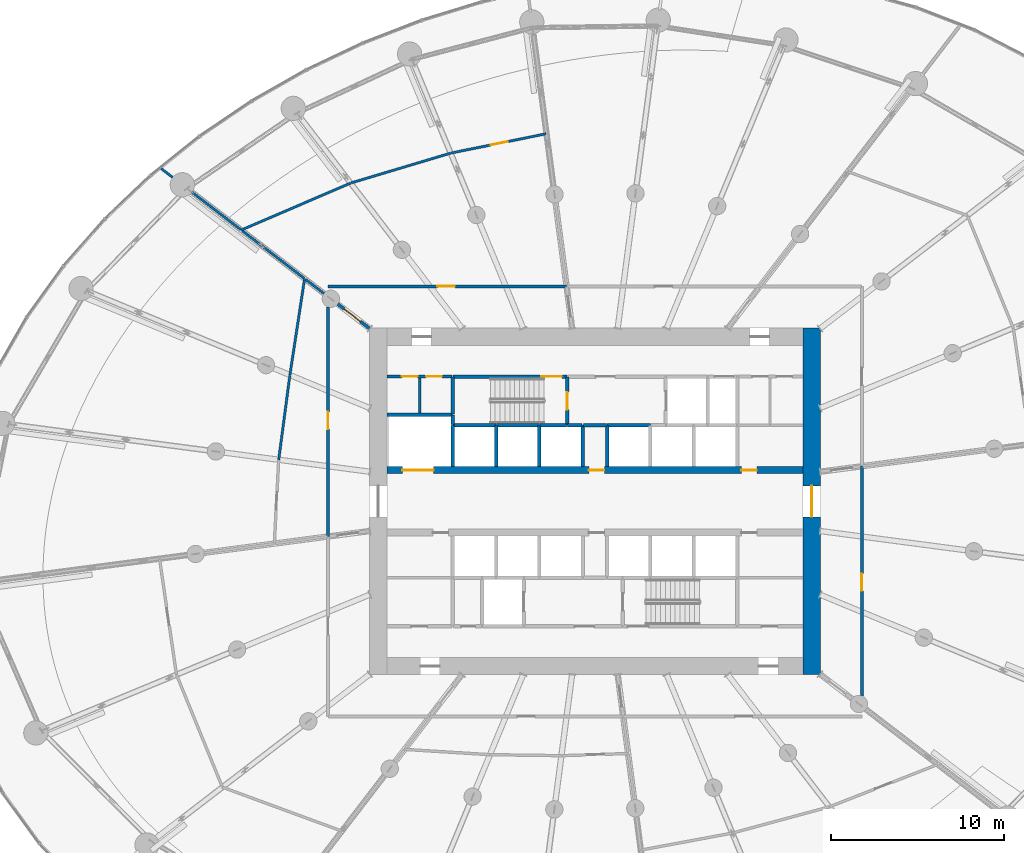
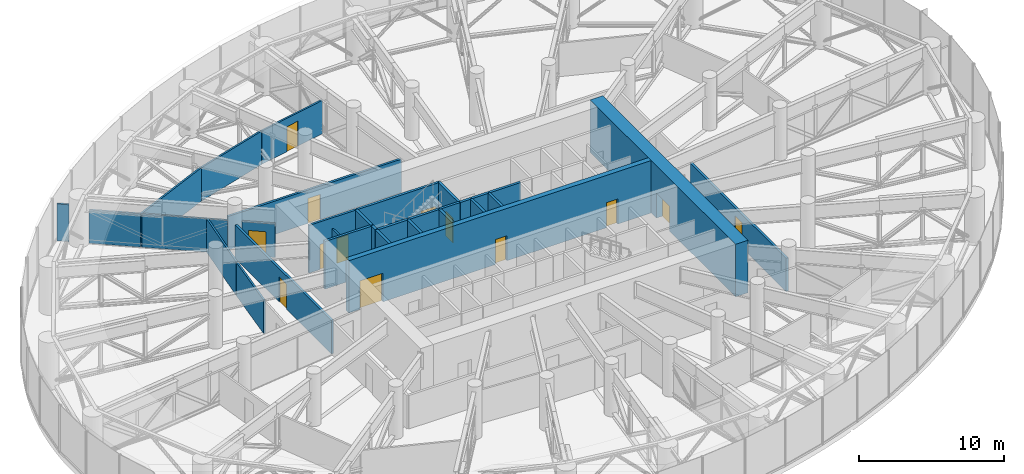
# One storey, part 23 of 42: 33 walls, 13 doors, 13 openings.
"""IFC4 building model written with IfcOpenShell, lengths in metres."""

from ifc_helpers import new_model, si_unit, direction, frame, frame_2d, origin, place, context, subcontext, project, spatial, rectangle, extrude, source, transform, mapped, material, layer, layer_set, type_object, element, fill, save


model = new_model("IFC4")

# Units and contexts
model_context = context("Model", 3, precision=1e-05, world=origin(), true_north=direction((0.0, 1.0)))
body_context = subcontext(model_context, "Body", "Model", "MODEL_VIEW")
ifc_project = project(units=[si_unit("LENGTHUNIT", "METRE"), si_unit("AREAUNIT", "SQUARE_METRE"), si_unit("VOLUMEUNIT", "CUBIC_METRE"), si_unit("PLANEANGLEUNIT", "RADIAN"), si_unit("MASSUNIT", "GRAM", prefix="KILO")], contexts=[model_context])

# Site, building, storey
site_placement = place(None, origin())
site = spatial("IfcSite", under=ifc_project, at=site_placement, CompositionType="ELEMENT")
building_placement = place(site_placement, origin())
building = spatial("IfcBuilding", under=site, at=building_placement, Name="Spindrift Exchange Tower", CompositionType="ELEMENT")
storey_placement = place(building_placement, frame((0.0, 0.0, 75.39990234375)))
storey = spatial("IfcBuildingStorey", under=building, at=storey_placement, Name="L17", CompositionType="ELEMENT", Elevation=75.39990234375)

# Wall, opening, door
ifc_material_1 = material(Name="Concrete 80 MPa", Category="concrete")
ifc_layer_1 = layer(ifc_material_1, 1.0)
ifc_layer_set_1 = layer_set([ifc_layer_1], Name="RC Core Wall 1000 Concrete 80 MPa")
wall_type_1 = type_object("IfcWallType", Name="RC Core Wall 1000 Concrete 80 MPa", PredefinedType="SHEAR", material=ifc_layer_set_1)
wall_1_placement = place(storey_placement, frame((64.5, 38.0, 0.0), z_axis=(0.0, 0.0, 1.0), x_axis=(0.0, 1.0, 0.0)))
wall_1 = element("IfcWall", 1, at=wall_1_placement, inside=storey, type_object=wall_type_1, Name="Core wall E L17", PredefinedType="SHEAR", context=body_context, shape_type="SweptSolid", body=[
    extrude(rectangle(XDim=20.0, YDim=1.0, at=frame_2d((10.0, 0.0))), origin(), (0.0, 0.0, 1.0), 4.400146484375),
])
opening_1_placement = place(wall_1_placement, frame((9.10009765625, 0.0, 0.0)))
opening_1 = element("IfcOpeningElement", 2, at=opening_1_placement, cuts=wall_1, Name="Opening L17-D2", PredefinedType="OPENING", context=body_context, shape_type="SweptSolid", body=[
    extrude(rectangle(XDim=1.800048828125, YDim=2.10009765625, at=frame_2d((0.89990234375, 1.050048828125))), frame((0.0, 0.510009765625, 0.0), z_axis=(0.0, -1.0, 0.0), x_axis=(1.0, 0.0, 0.0)), (0.0, 0.0, 1.0), 1.02001953125),
])
ifc_material_2 = material(Name="Timber-core fire door", Category="wood")
door_type_1 = type_object("IfcDoorType", Name="DR-LOBBY-1800", OperationType="NOTDEFINED", PredefinedType="DOOR", material=ifc_material_2)
shared_shape_1 = source(origin(), body_context, "Body", "SweptSolid", [
    extrude(rectangle(XDim=1.800048828125, YDim=2.10009765625, at=frame_2d((0.89990234375, 1.050048828125))), frame((0.0, 0.02490234375, 0.0), z_axis=(0.0, -1.0, 0.0), x_axis=(1.0, 0.0, 0.0)), (0.0, 0.0, 1.0), 0.050048828125),
])
door_1_placement = place(opening_1_placement, origin())
door_1 = element("IfcDoor", 3, at=door_1_placement, inside=storey, type_object=door_type_1, Name="L17 Lobby door 2", OperationType="SINGLE_SWING_LEFT", OverallHeight=2.10009765625, OverallWidth=1.800048828125, PredefinedType="DOOR", context=body_context, shape_type="MappedRepresentation", body=[
    mapped(shared_shape_1, transform((0.0, 0.0, 0.0), scale=1.0)),
])
fill(opening_1, door_1)

# Wall, openings, doors
ifc_layer_2 = layer(ifc_material_1, 0.39990234375)
ifc_layer_set_2 = layer_set([ifc_layer_2], Name="RC Spine Wall 400 Concrete 80 MPa")
wall_type_2 = type_object("IfcWallType", Name="RC Spine Wall 400 Concrete 80 MPa", PredefinedType="SHEAR", material=ifc_layer_set_2)
wall_2_placement = place(storey_placement, frame((40.0, 49.800048828125, 0.0), z_axis=(0.0, 0.0, 1.0), x_axis=(1.0, 0.0, 0.0)))
wall_2 = element("IfcWall", 4, at=wall_2_placement, inside=storey, type_object=wall_type_2, Name="Core spine wall N L17", PredefinedType="SHEAR", context=body_context, shape_type="SweptSolid", body=[
    extrude(rectangle(XDim=24.0, YDim=0.39990234375, at=frame_2d((12.0, 0.0))), origin(), (0.0, 0.0, 1.0), 4.400146484375),
])
opening_2_placement = place(wall_2_placement, frame((0.89990234375, 0.0, 0.0)))
opening_2 = element("IfcOpeningElement", 5, at=opening_2_placement, cuts=wall_2, Name="Opening L17-D6", PredefinedType="OPENING", context=body_context, shape_type="SweptSolid", body=[
    extrude(rectangle(XDim=1.800048828125, YDim=2.39990234375, at=frame_2d((0.89990234375, 1.199951171875))), frame((0.0, 0.2099609375, 0.0), z_axis=(0.0, -1.0, 0.0), x_axis=(1.0, 0.0, 0.0)), (0.0, 0.0, 1.0), 0.419921875),
])
opening_3_placement = place(wall_2_placement, frame((20.449951171875, 0.0, 0.0)))
opening_3 = element("IfcOpeningElement", 6, at=opening_3_placement, cuts=wall_2, Name="Opening L17-D44", PredefinedType="OPENING", context=body_context, shape_type="SweptSolid", body=[
    extrude(rectangle(XDim=0.89990234375, YDim=2.10009765625, at=frame_2d((0.449951171875, 1.050048828125))), frame((0.0, 0.2099609375, 0.0), z_axis=(0.0, -1.0, 0.0), x_axis=(1.0, 0.0, 0.0)), (0.0, 0.0, 1.0), 0.419921875),
])
opening_4_placement = place(wall_2_placement, frame((11.64990234375, 0.0, 0.0)))
opening_4 = element("IfcOpeningElement", 7, at=opening_4_placement, cuts=wall_2, Name="Opening L17-D49", PredefinedType="OPENING", context=body_context, shape_type="SweptSolid", body=[
    extrude(rectangle(XDim=0.89990234375, YDim=2.10009765625, at=frame_2d((0.449951171875, 1.050048828125))), frame((0.0, 0.2099609375, 0.0), z_axis=(0.0, -1.0, 0.0), x_axis=(1.0, 0.0, 0.0)), (0.0, 0.0, 1.0), 0.419921875),
])
ifc_material_3 = material(Name="Stainless steel landing door", Category="steel")
door_type_2 = type_object("IfcDoorType", Name="DR-LANDING-1800-SL", OperationType="DOUBLE_DOOR_SLIDING", PredefinedType="USERDEFINED", material=ifc_material_3)
shared_shape_2 = source(origin(), body_context, "Body", "SweptSolid", [
    extrude(rectangle(XDim=1.800048828125, YDim=2.39990234375, at=frame_2d((0.89990234375, 1.199951171875))), frame((0.0, 0.02490234375, 0.0), z_axis=(0.0, -1.0, 0.0), x_axis=(1.0, 0.0, 0.0)), (0.0, 0.0, 1.0), 0.050048828125),
])
door_2_placement = place(opening_2_placement, origin())
door_2 = element("IfcDoor", 8, at=door_2_placement, inside=storey, type_object=door_type_2, Name="L17 Lift landing door 6", ObjectType="LANDING DOOR", OperationType="DOUBLE_DOOR_SLIDING", OverallHeight=2.39990234375, OverallWidth=1.800048828125, PredefinedType="USERDEFINED", context=body_context, shape_type="MappedRepresentation", body=[
    mapped(shared_shape_2, transform((0.0, 0.0, 0.0), scale=1.0)),
])
fill(opening_2, door_2)
ifc_material_4 = material(Name="Steel access door", Category="steel")
door_type_3 = type_object("IfcDoorType", Name="DR-RISER-900", OperationType="NOTDEFINED", PredefinedType="DOOR", material=ifc_material_4)
shared_shape_3 = source(origin(), body_context, "Body", "SweptSolid", [
    extrude(rectangle(XDim=0.89990234375, YDim=2.10009765625, at=frame_2d((0.449951171875, 1.050048828125))), frame((0.0, 0.02490234375, 0.0), z_axis=(0.0, -1.0, 0.0), x_axis=(1.0, 0.0, 0.0)), (0.0, 0.0, 1.0), 0.050048828125),
])
door_3_placement = place(opening_3_placement, origin())
door_3 = element("IfcDoor", 9, at=door_3_placement, inside=storey, type_object=door_type_3, Name="L17 Riser door 44", OperationType="SINGLE_SWING_LEFT", OverallHeight=2.10009765625, OverallWidth=0.89990234375, PredefinedType="DOOR", context=body_context, shape_type="MappedRepresentation", body=[
    mapped(shared_shape_3, transform((0.0, 0.0, 0.0), scale=1.0)),
])
fill(opening_3, door_3)
door_4_placement = place(opening_4_placement, origin())
door_4 = element("IfcDoor", 10, at=door_4_placement, inside=storey, type_object=door_type_3, Name="L17 Riser door 49", OperationType="SINGLE_SWING_RIGHT", OverallHeight=2.10009765625, OverallWidth=0.89990234375, PredefinedType="DOOR", context=body_context, shape_type="MappedRepresentation", body=[
    mapped(shared_shape_3, transform((0.0, 0.0, 0.0), scale=1.0)),
])
fill(opening_4, door_4)

ifc_material_5 = material(Name="Fire-rated plasterboard partition", Category="gypsum")
ifc_layer_3 = layer(ifc_material_5, 0.179931640625)
ifc_layer_set_3 = layer_set([ifc_layer_3], Name="W-CORR-180")
wall_type_3 = type_object("IfcWallType", Name="W-CORR-180", PredefinedType="PARTITIONING", material=ifc_layer_set_3)
wall_3_placement = place(storey_placement, frame((43.77001953125, 55.199951171875, 0.0), z_axis=(0.0, 0.0, 1.0), x_axis=(-1.0, 0.0, 0.0)))
wall_3 = element("IfcWall", 11, at=wall_3_placement, inside=storey, type_object=wall_type_3, Name="L17 Partition wall 68", PredefinedType="PARTITIONING", context=body_context, shape_type="SweptSolid", body=[
    extrude(rectangle(XDim=3.75, YDim=0.179931640625, at=frame_2d((1.875, 0.0))), origin(), (0.0, 0.0, 1.0), 4.0),
])
opening_5_placement = place(wall_3_placement, frame((2.0, 0.0, 0.0)))
opening_5 = element("IfcOpeningElement", 12, at=opening_5_placement, cuts=wall_3, Name="Opening L17-D40", PredefinedType="OPENING", context=body_context, shape_type="SweptSolid", body=[
    extrude(rectangle(XDim=0.89990234375, YDim=2.10009765625, at=frame_2d((0.449951171875, 1.050048828125))), frame((0.0, 0.099853515625, 0.0), z_axis=(0.0, -1.0, 0.0), x_axis=(1.0, 0.0, 0.0)), (0.0, 0.0, 1.0), 0.199951171875),
])
opening_6_placement = place(wall_3_placement, frame((0.60009765625, 0.0, 0.0)))
opening_6 = element("IfcOpeningElement", 13, at=opening_6_placement, cuts=wall_3, Name="Opening L17-D41", PredefinedType="OPENING", context=body_context, shape_type="SweptSolid", body=[
    extrude(rectangle(XDim=0.89990234375, YDim=2.10009765625, at=frame_2d((0.449951171875, 1.050048828125))), frame((0.0, 0.099853515625, 0.0), z_axis=(0.0, -1.0, 0.0), x_axis=(1.0, 0.0, 0.0)), (0.0, 0.0, 1.0), 0.199951171875),
])
door_5_placement = place(opening_5_placement, origin())
door_5 = element("IfcDoor", 14, at=door_5_placement, inside=storey, type_object=door_type_3, Name="L17 Riser door 40", OperationType="SINGLE_SWING_LEFT", OverallHeight=2.10009765625, OverallWidth=0.89990234375, PredefinedType="DOOR", context=body_context, shape_type="MappedRepresentation", body=[
    mapped(shared_shape_3, transform((0.0, 0.0, 0.0), scale=1.0)),
])
fill(opening_5, door_5)
door_6_placement = place(opening_6_placement, origin())
door_6 = element("IfcDoor", 15, at=door_6_placement, inside=storey, type_object=door_type_3, Name="L17 Riser door 41", OperationType="SINGLE_SWING_RIGHT", OverallHeight=2.10009765625, OverallWidth=0.89990234375, PredefinedType="DOOR", context=body_context, shape_type="MappedRepresentation", body=[
    mapped(shared_shape_3, transform((0.0, 0.0, 0.0), scale=1.0)),
])
fill(opening_6, door_6)

# Wall, opening, door
ifc_layer_4 = layer(ifc_material_5, 0.179931640625)
ifc_layer_set_4 = layer_set([ifc_layer_4], Name="W-CORR-180-SOFFIT")
wall_type_4 = type_object("IfcWallType", Name="W-CORR-180-SOFFIT", PredefinedType="PARTITIONING", material=ifc_layer_set_4)
wall_4_placement = place(storey_placement, frame((37.167724609375, 59.381103515625, 0.0), z_axis=(0.0, 0.0, 1.0), x_axis=(0.793393624489, -0.608708926023, 0.0)))
wall_4 = element("IfcWall", 16, at=wall_4_placement, inside=storey, type_object=wall_type_4, Name="L17 Partition wall 77", PredefinedType="PARTITIONING", context=body_context, shape_type="SweptSolid", body=[
    extrude(rectangle(XDim=2.309326171875, YDim=0.179931640625, at=frame_2d((1.15478515625, 0.0))), origin(), (0.0, 0.0, 1.0), 2.800048828125),
])
opening_7_placement = place(wall_4_placement, frame((0.45947265625, 0.0, 0.0)))
opening_7 = element("IfcOpeningElement", 17, at=opening_7_placement, cuts=wall_4, Name="Opening L17-D34", PredefinedType="OPENING", context=body_context, shape_type="SweptSolid", body=[
    extrude(rectangle(XDim=1.199951171875, YDim=2.10009765625, at=frame_2d((0.60009765625, 1.050048828125))), frame((0.0, 0.099853515625, 0.0), z_axis=(0.0, -1.0, 0.0), x_axis=(1.0, 0.0, 0.0)), (0.0, 0.0, 1.0), 0.199951171875),
])
ifc_material_6 = material(Name="Steel fire door", Category="steel")
door_type_4 = type_object("IfcDoorType", Name="DR-PLANT-1200", OperationType="NOTDEFINED", PredefinedType="DOOR", material=ifc_material_6)
shared_shape_4 = source(origin(), body_context, "Body", "SweptSolid", [
    extrude(rectangle(XDim=1.199951171875, YDim=2.10009765625, at=frame_2d((0.60009765625, 1.050048828125))), frame((0.0, 0.02490234375, 0.0), z_axis=(0.0, -1.0, 0.0), x_axis=(1.0, 0.0, 0.0)), (0.0, 0.0, 1.0), 0.050048828125),
])
door_7_placement = place(opening_7_placement, origin())
door_7 = element("IfcDoor", 18, at=door_7_placement, inside=storey, type_object=door_type_4, Name="L17 Plant room door 34", OperationType="SINGLE_SWING_LEFT", OverallHeight=2.10009765625, OverallWidth=1.199951171875, PredefinedType="DOOR", context=body_context, shape_type="MappedRepresentation", body=[
    mapped(shared_shape_4, transform((0.0, 0.0, 0.0), scale=1.0)),
])
fill(opening_7, door_7)

# Walls
ifc_layer_5 = layer(ifc_material_5, 0.139892578125)
ifc_layer_set_5 = layer_set([ifc_layer_5], Name="W-PART-140")
wall_type_5 = type_object("IfcWallType", Name="W-PART-140", PredefinedType="PARTITIONING", material=ifc_layer_set_5)
wall_5_placement = place(storey_placement, frame((41.89990234375, 53.10009765625, 0.0), z_axis=(0.0, 0.0, 1.0), x_axis=(0.0, 1.0, 0.0)))
element("IfcWall", 19, at=wall_5_placement, inside=storey, type_object=wall_type_5, Name="L17 Partition wall 122", PredefinedType="PARTITIONING", context=body_context, shape_type="SweptSolid", body=[
    extrude(rectangle(XDim=2.010009765625, YDim=0.139892578125, at=frame_2d((1.0048828125, 0.0))), origin(), (0.0, 0.0, 1.0), 3.10009765625),
])
ifc_layer_6 = layer(ifc_material_5, 0.139892578125)
ifc_layer_set_6 = layer_set([ifc_layer_6], Name="W-PLANT-140")
wall_type_6 = type_object("IfcWallType", Name="W-PLANT-140", PredefinedType="PARTITIONING", material=ifc_layer_set_6)
wall_6_placement = place(storey_placement, frame((27.640625, 66.69140625, 0.0), z_axis=(0.0, 0.0, 1.0), x_axis=(-0.793252635304, 0.608892647832, 0.0)))
element("IfcWall", 20, at=wall_6_placement, inside=storey, type_object=wall_type_6, Name="L17 Partition wall 133", PredefinedType="PARTITIONING", context=body_context, shape_type="SweptSolid", body=[
    extrude(rectangle(XDim=0.822265625, YDim=0.139892578125, at=frame_2d((0.4111328125, 0.0))), origin(), (0.0, 0.0, 1.0), 3.10009765625),
])
ifc_layer_7 = layer(ifc_material_5, 0.139892578125)
ifc_layer_set_7 = layer_set([ifc_layer_7], Name="W-PLANT-140-SOFFIT")
wall_type_7 = type_object("IfcWallType", Name="W-PLANT-140-SOFFIT", PredefinedType="PARTITIONING", material=ifc_layer_set_7)
wall_7_placement = place(storey_placement, frame((37.91064453125, 66.361572265625, 0.0), z_axis=(0.0, 0.0, 1.0), x_axis=(-0.918844976154, -0.394618689112, 0.0)))
element("IfcWall", 21, at=wall_7_placement, inside=storey, type_object=wall_type_7, Name="L17 Partition wall 87", PredefinedType="PARTITIONING", context=body_context, shape_type="SweptSolid", body=[
    extrude(rectangle(XDim=6.865966796875, YDim=0.139892578125, at=frame_2d((3.43310546875, 0.0))), origin(), (0.0, 0.0, 1.0), 2.800048828125),
])
wall_8_placement = place(storey_placement, frame((43.678955078125, 68.088623046875, 0.0), z_axis=(0.0, 0.0, 1.0), x_axis=(-0.957979800039, -0.286835671976, 0.0)))
element("IfcWall", 22, at=wall_8_placement, inside=storey, type_object=wall_type_7, Name="L17 Partition wall 91", PredefinedType="PARTITIONING", context=body_context, shape_type="SweptSolid", body=[
    extrude(rectangle(XDim=5.9912109375, YDim=0.139892578125, at=frame_2d((2.99560546875, 0.0))), origin(), (0.0, 0.0, 1.0), 2.800048828125),
])

# Wall, opening, door
wall_9_placement = place(storey_placement, frame((43.70849609375, 68.0947265625, 0.0), z_axis=(0.0, 0.0, 1.0), x_axis=(0.980089724436, 0.198555110878, 0.0)))
wall_9 = element("IfcWall", 23, at=wall_9_placement, inside=storey, type_object=wall_type_7, Name="L17 Partition wall 96", PredefinedType="PARTITIONING", context=body_context, shape_type="SweptSolid", body=[
    extrude(rectangle(XDim=5.5810546875, YDim=0.139892578125, at=frame_2d((2.79052734375, 0.0))), origin(), (0.0, 0.0, 1.0), 2.800048828125),
])
opening_8_placement = place(wall_9_placement, frame((2.331298828125, 0.0, 0.0)))
opening_8 = element("IfcOpeningElement", 24, at=opening_8_placement, cuts=wall_9, Name="Opening L17-D22", PredefinedType="OPENING", context=body_context, shape_type="SweptSolid", body=[
    extrude(rectangle(XDim=1.0, YDim=2.10009765625, at=frame_2d((0.5, 1.050048828125))), frame((0.0, 0.079833984375, 0.0), z_axis=(0.0, -1.0, 0.0), x_axis=(1.0, 0.0, 0.0)), (0.0, 0.0, 1.0), 0.159912109375),
])
door_type_5 = type_object("IfcDoorType", Name="DR-ROOM-1000", OperationType="NOTDEFINED", PredefinedType="DOOR", material=ifc_material_2)
shared_shape_5 = source(origin(), body_context, "Body", "SweptSolid", [
    extrude(rectangle(XDim=1.0, YDim=2.10009765625, at=frame_2d((0.5, 1.050048828125))), frame((0.0, 0.02490234375, 0.0), z_axis=(0.0, -1.0, 0.0), x_axis=(1.0, 0.0, 0.0)), (0.0, 0.0, 1.0), 0.050048828125),
])
door_8_placement = place(opening_8_placement, origin())
door_8 = element("IfcDoor", 25, at=door_8_placement, inside=storey, type_object=door_type_5, Name="L17 Door 22", OperationType="SINGLE_SWING_LEFT", OverallHeight=2.10009765625, OverallWidth=1.0, PredefinedType="DOOR", context=body_context, shape_type="MappedRepresentation", body=[
    mapped(shared_shape_5, transform((0.0, 0.0, 0.0), scale=1.0)),
])
fill(opening_8, door_8)

# Walls
wall_10_placement = place(storey_placement, frame((35.25439453125, 60.849365234375, 0.0), z_axis=(0.0, 0.0, 1.0), x_axis=(-0.150752706643, -0.988571505476, 0.0)))
element("IfcWall", 26, at=wall_10_placement, inside=storey, type_object=wall_type_7, Name="L17 Partition wall 97", PredefinedType="PARTITIONING", context=body_context, shape_type="SweptSolid", body=[
    extrude(rectangle(XDim=5.6259765625, YDim=0.139892578125, at=frame_2d((2.81298828125, 0.0))), origin(), (0.0, 0.0, 1.0), 2.800048828125),
])
wall_11_placement = place(storey_placement, frame((34.40234375, 55.2578125, 0.0), z_axis=(0.0, 0.0, 1.0), x_axis=(-0.131024321146, -0.991379154142, 0.0)))
element("IfcWall", 27, at=wall_11_placement, inside=storey, type_object=wall_type_7, Name="L17 Partition wall 101", PredefinedType="PARTITIONING", context=body_context, shape_type="SweptSolid", body=[
    extrude(rectangle(XDim=4.898681640625, YDim=0.139892578125, at=frame_2d((2.44921875, 0.0))), origin(), (0.0, 0.0, 1.0), 2.800048828125),
])
wall_12_placement = place(storey_placement, frame((35.230712890625, 60.86767578125, 0.0), z_axis=(0.0, 0.0, 1.0), x_axis=(-0.79336058226, 0.608751990976, 0.0)))
element("IfcWall", 28, at=wall_12_placement, inside=storey, type_object=wall_type_7, Name="L17 Partition wall 104", PredefinedType="PARTITIONING", context=body_context, shape_type="SweptSolid", body=[
    extrude(rectangle(XDim=4.493896484375, YDim=0.139892578125, at=frame_2d((2.2470703125, 0.0))), origin(), (0.0, 0.0, 1.0), 2.800048828125),
])
wall_13_placement = place(storey_placement, frame((31.578125, 63.670166015625, 0.0), z_axis=(0.0, 0.0, 1.0), x_axis=(-0.793366411032, 0.608744394509, 0.0)))
element("IfcWall", 29, at=wall_13_placement, inside=storey, type_object=wall_type_7, Name="L17 Partition wall 113", PredefinedType="PARTITIONING", context=body_context, shape_type="SweptSolid", body=[
    extrude(rectangle(XDim=3.554443359375, YDim=0.139892578125, at=frame_2d((1.77734375, 0.0))), origin(), (0.0, 0.0, 1.0), 2.800048828125),
])
wall_14_placement = place(storey_placement, frame((36.367431640625, 59.995361328125, 0.0), z_axis=(0.0, 0.0, 1.0), x_axis=(-0.793330053211, 0.608791776121, 0.0)))
element("IfcWall", 30, at=wall_14_placement, inside=storey, type_object=wall_type_7, Name="L17 Partition wall 129", PredefinedType="PARTITIONING", context=body_context, shape_type="SweptSolid", body=[
    extrude(rectangle(XDim=1.322998046875, YDim=0.139892578125, at=frame_2d((0.66162109375, 0.0))), origin(), (0.0, 0.0, 1.0), 2.800048828125),
])

# Wall, opening, door
ifc_layer_8 = layer(ifc_material_5, 0.179931640625)
ifc_layer_set_8 = layer_set([ifc_layer_8], Name="W-PLANT-180-SOFFIT")
wall_type_8 = type_object("IfcWallType", Name="W-PLANT-180-SOFFIT", PredefinedType="PARTITIONING", material=ifc_layer_set_8)
wall_15_placement = place(storey_placement, frame((36.60009765625, 60.39990234375, 0.0), z_axis=(0.0, 0.0, 1.0), x_axis=(1.0, 0.0, 0.0)))
wall_15 = element("IfcWall", 31, at=wall_15_placement, inside=storey, type_object=wall_type_8, Name="L17 Partition wall 58", PredefinedType="PARTITIONING", context=body_context, shape_type="SweptSolid", body=[
    extrude(rectangle(XDim=13.767333984375, YDim=0.179931640625, at=frame_2d((6.8837890625, 0.0))), origin(), (0.0, 0.0, 1.0), 2.800048828125),
])
opening_9_placement = place(wall_15_placement, frame((6.3173828125, 0.0, 0.0)))
opening_9 = element("IfcOpeningElement", 32, at=opening_9_placement, cuts=wall_15, Name="Opening L17-D21", PredefinedType="OPENING", context=body_context, shape_type="SweptSolid", body=[
    extrude(rectangle(XDim=1.0, YDim=2.10009765625, at=frame_2d((0.5, 1.050048828125))), frame((0.0, 0.099853515625, 0.0), z_axis=(0.0, -1.0, 0.0), x_axis=(1.0, 0.0, 0.0)), (0.0, 0.0, 1.0), 0.199951171875),
])
door_9_placement = place(opening_9_placement, origin())
door_9 = element("IfcDoor", 33, at=door_9_placement, inside=storey, type_object=door_type_5, Name="L17 Door 21", OperationType="SINGLE_SWING_RIGHT", OverallHeight=2.10009765625, OverallWidth=1.0, PredefinedType="DOOR", context=body_context, shape_type="MappedRepresentation", body=[
    mapped(shared_shape_5, transform((0.0, 0.0, 0.0), scale=1.0)),
])
fill(opening_9, door_9)

wall_16_placement = place(storey_placement, frame((67.39990234375, 50.02734375, 0.0), z_axis=(0.0, 0.0, 1.0), x_axis=(0.0, -1.0, 0.0)))
wall_16 = element("IfcWall", 34, at=wall_16_placement, inside=storey, type_object=wall_type_8, Name="L17 Partition wall 59", PredefinedType="PARTITIONING", context=body_context, shape_type="SweptSolid", body=[
    extrude(rectangle(XDim=13.23974609375, YDim=0.179931640625, at=frame_2d((6.619873046875, 0.0))), origin(), (0.0, 0.0, 1.0), 2.800048828125),
])
opening_10_placement = place(wall_16_placement, frame((6.18994140625, 0.0, 0.0)))
opening_10 = element("IfcOpeningElement", 35, at=opening_10_placement, cuts=wall_16, Name="Opening L17-D31", PredefinedType="OPENING", context=body_context, shape_type="SweptSolid", body=[
    extrude(rectangle(XDim=1.0, YDim=2.10009765625, at=frame_2d((0.5, 1.050048828125))), frame((0.0, 0.099853515625, 0.0), z_axis=(0.0, -1.0, 0.0), x_axis=(1.0, 0.0, 0.0)), (0.0, 0.0, 1.0), 0.199951171875),
])
door_10_placement = place(opening_10_placement, origin())
door_10 = element("IfcDoor", 36, at=door_10_placement, inside=storey, type_object=door_type_5, Name="L17 Door 31", OperationType="SINGLE_SWING_RIGHT", OverallHeight=2.10009765625, OverallWidth=1.0, PredefinedType="DOOR", context=body_context, shape_type="MappedRepresentation", body=[
    mapped(shared_shape_5, transform((0.0, 0.0, 0.0), scale=1.0)),
])
fill(opening_10, door_10)

wall_17_placement = place(storey_placement, frame((36.60009765625, 45.97265625, 0.0), z_axis=(0.0, 0.0, 1.0), x_axis=(0.0, 1.0, 0.0)))
wall_17 = element("IfcWall", 37, at=wall_17_placement, inside=storey, type_object=wall_type_8, Name="L17 Partition wall 60", PredefinedType="PARTITIONING", context=body_context, shape_type="SweptSolid", body=[
    extrude(rectangle(XDim=13.23974609375, YDim=0.179931640625, at=frame_2d((6.619873046875, 0.0))), origin(), (0.0, 0.0, 1.0), 2.800048828125),
])
opening_11_placement = place(wall_17_placement, frame((6.18994140625, 0.0, 0.0)))
opening_11 = element("IfcOpeningElement", 38, at=opening_11_placement, cuts=wall_17, Name="Opening L17-D23", PredefinedType="OPENING", context=body_context, shape_type="SweptSolid", body=[
    extrude(rectangle(XDim=1.0, YDim=2.10009765625, at=frame_2d((0.5, 1.050048828125))), frame((0.0, 0.099853515625, 0.0), z_axis=(0.0, -1.0, 0.0), x_axis=(1.0, 0.0, 0.0)), (0.0, 0.0, 1.0), 0.199951171875),
])
door_11_placement = place(opening_11_placement, origin())
door_11 = element("IfcDoor", 39, at=door_11_placement, inside=storey, type_object=door_type_5, Name="L17 Door 23", OperationType="SINGLE_SWING_RIGHT", OverallHeight=2.10009765625, OverallWidth=1.0, PredefinedType="DOOR", context=body_context, shape_type="MappedRepresentation", body=[
    mapped(shared_shape_5, transform((0.0, 0.0, 0.0), scale=1.0)),
])
fill(opening_11, door_11)

# Walls
ifc_material_7 = material(Name="Concrete 40 MPa", Category="concrete")
ifc_layer_9 = layer(ifc_material_7, 0.199951171875)
ifc_layer_set_9 = layer_set([ifc_layer_9], Name="W-SHAFT-200")
wall_type_9 = type_object("IfcWallType", Name="W-SHAFT-200", PredefinedType="SOLIDWALL", material=ifc_layer_set_9)
wall_18_placement = place(storey_placement, frame((55.199951171875, 52.39990234375, 0.0), z_axis=(0.0, 0.0, 1.0), x_axis=(-1.0, 0.0, 0.0)))
element("IfcWall", 40, at=wall_18_placement, inside=storey, type_object=wall_type_9, Name="L17 Shaft wall 18", PredefinedType="SOLIDWALL", context=body_context, shape_type="SweptSolid", body=[
    extrude(rectangle(XDim=2.5, YDim=0.199951171875, at=frame_2d((1.25, 0.0))), origin(), (0.0, 0.0, 1.0), 4.0),
])
wall_19_placement = place(storey_placement, frame((51.300048828125, 50.010009765625, 0.0), z_axis=(0.0, 0.0, 1.0), x_axis=(0.0, 1.0, 0.0)))
element("IfcWall", 41, at=wall_19_placement, inside=storey, type_object=wall_type_9, Name="L17 Shaft wall 30", PredefinedType="SOLIDWALL", context=body_context, shape_type="SweptSolid", body=[
    extrude(rectangle(XDim=2.389892578125, YDim=0.199951171875, at=frame_2d((1.19482421875, 0.0))), origin(), (0.0, 0.0, 1.0), 4.0),
])
wall_20_placement = place(storey_placement, frame((52.699951171875, 52.3701171875, 0.0), z_axis=(0.0, 0.0, 1.0), x_axis=(0.0, -1.0, 0.0)))
element("IfcWall", 42, at=wall_20_placement, inside=storey, type_object=wall_type_9, Name="L17 Shaft wall 32", PredefinedType="SOLIDWALL", context=body_context, shape_type="SweptSolid", body=[
    extrude(rectangle(XDim=2.360107421875, YDim=0.199951171875, at=frame_2d((1.18017578125, 0.0))), origin(), (0.0, 0.0, 1.0), 4.0),
])
wall_21_placement = place(storey_placement, frame((51.330078125, 52.39990234375, 0.0), z_axis=(0.0, 0.0, 1.0), x_axis=(1.0, 0.0, 0.0)))
element("IfcWall", 43, at=wall_21_placement, inside=storey, type_object=wall_type_9, Name="L17 Shaft wall 49", PredefinedType="SOLIDWALL", context=body_context, shape_type="SweptSolid", body=[
    extrude(rectangle(XDim=1.33984375, YDim=0.199951171875, at=frame_2d((0.669921875, 0.0))), origin(), (0.0, 0.0, 1.0), 4.0),
])

# Wall, opening, door
ifc_layer_10 = layer(ifc_material_7, 0.199951171875)
ifc_layer_set_10 = layer_set([ifc_layer_10], Name="W-SHAFT-200-LB")
wall_type_10 = type_object("IfcWallType", Name="W-SHAFT-200-LB", PredefinedType="SOLIDWALL", material=ifc_layer_set_10)
wall_22_placement = place(storey_placement, frame((50.39990234375, 55.199951171875, 0.0), z_axis=(0.0, 0.0, 1.0), x_axis=(-1.0, 0.0, 0.0)))
wall_22 = element("IfcWall", 44, at=wall_22_placement, inside=storey, type_object=wall_type_10, Name="L17 Shaft wall 1", PredefinedType="SOLIDWALL", context=body_context, shape_type="SweptSolid", body=[
    extrude(rectangle(XDim=6.599853515625, YDim=0.199951171875, at=frame_2d((3.2998046875, 0.0))), origin(), (0.0, 0.0, 1.0), 4.0),
])
opening_12_placement = place(wall_22_placement, frame((0.300048828125, 0.0, 0.0)))
opening_12 = element("IfcOpeningElement", 45, at=opening_12_placement, cuts=wall_22, Name="Opening L17-D7", PredefinedType="OPENING", context=body_context, shape_type="SweptSolid", body=[
    extrude(rectangle(XDim=1.199951171875, YDim=2.10009765625, at=frame_2d((0.60009765625, 1.050048828125))), frame((0.0, 0.10986328125, 0.0), z_axis=(0.0, -1.0, 0.0), x_axis=(1.0, 0.0, 0.0)), (0.0, 0.0, 1.0), 0.219970703125),
])
door_type_6 = type_object("IfcDoorType", Name="DR-STAIR-1200", OperationType="NOTDEFINED", PredefinedType="DOOR", material=ifc_material_6)
shared_shape_6 = source(origin(), body_context, "Body", "SweptSolid", [
    extrude(rectangle(XDim=1.199951171875, YDim=2.10009765625, at=frame_2d((0.60009765625, 1.050048828125))), frame((0.0, 0.02490234375, 0.0), z_axis=(0.0, -1.0, 0.0), x_axis=(1.0, 0.0, 0.0)), (0.0, 0.0, 1.0), 0.050048828125),
])
door_12_placement = place(opening_12_placement, origin())
door_12 = element("IfcDoor", 46, at=door_12_placement, inside=storey, type_object=door_type_6, Name="L17 Stair door 7", OperationType="SINGLE_SWING_RIGHT", OverallHeight=2.10009765625, OverallWidth=1.199951171875, PredefinedType="DOOR", context=body_context, shape_type="MappedRepresentation", body=[
    mapped(shared_shape_6, transform((0.0, 0.0, 0.0), scale=1.0)),
])
fill(opening_12, door_12)

# Wall
wall_23_placement = place(storey_placement, frame((43.800048828125, 53.0, 0.0), z_axis=(0.0, 0.0, 1.0), x_axis=(-1.0, 0.0, 0.0)))
element("IfcWall", 47, at=wall_23_placement, inside=storey, type_object=wall_type_10, Name="L17 Shaft wall 5", PredefinedType="SOLIDWALL", context=body_context, shape_type="SweptSolid", body=[
    extrude(rectangle(XDim=3.780029296875, YDim=0.199951171875, at=frame_2d((1.89013671875, 0.0))), origin(), (0.0, 0.0, 1.0), 4.0),
])

# Wall, opening, door
wall_24_placement = place(storey_placement, frame((50.39990234375, 52.39990234375, 0.0), z_axis=(0.0, 0.0, 1.0), x_axis=(0.0, 1.0, 0.0)))
wall_24 = element("IfcWall", 48, at=wall_24_placement, inside=storey, type_object=wall_type_10, Name="L17 Shaft wall 9", PredefinedType="SOLIDWALL", context=body_context, shape_type="SweptSolid", body=[
    extrude(rectangle(XDim=2.77001953125, YDim=0.199951171875, at=frame_2d((1.385009765625, 0.0))), origin(), (0.0, 0.0, 1.0), 4.0),
])
opening_13_placement = place(wall_24_placement, frame((0.89990234375, 0.0, 0.0)))
opening_13 = element("IfcOpeningElement", 49, at=opening_13_placement, cuts=wall_24, Name="Opening L17-D8", PredefinedType="OPENING", context=body_context, shape_type="SweptSolid", body=[
    extrude(rectangle(XDim=1.0, YDim=2.10009765625, at=frame_2d((0.5, 1.050048828125))), frame((0.0, 0.10986328125, 0.0), z_axis=(0.0, -1.0, 0.0), x_axis=(1.0, 0.0, 0.0)), (0.0, 0.0, 1.0), 0.219970703125),
])
door_type_7 = type_object("IfcDoorType", Name="DR-STAIR-1000", OperationType="NOTDEFINED", PredefinedType="DOOR", material=ifc_material_6)
shared_shape_7 = source(origin(), body_context, "Body", "SweptSolid", [
    extrude(rectangle(XDim=1.0, YDim=2.10009765625, at=frame_2d((0.5, 1.050048828125))), frame((0.0, 0.02490234375, 0.0), z_axis=(0.0, -1.0, 0.0), x_axis=(1.0, 0.0, 0.0)), (0.0, 0.0, 1.0), 0.050048828125),
])
door_13_placement = place(opening_13_placement, origin())
door_13 = element("IfcDoor", 50, at=door_13_placement, inside=storey, type_object=door_type_7, Name="L17 Stair door 8", OperationType="SINGLE_SWING_LEFT", OverallHeight=2.10009765625, OverallWidth=1.0, PredefinedType="DOOR", context=body_context, shape_type="MappedRepresentation", body=[
    mapped(shared_shape_7, transform((0.0, 0.0, 0.0), scale=1.0)),
])
fill(opening_13, door_13)

# Walls
wall_25_placement = place(storey_placement, frame((46.300048828125, 52.39990234375, 0.0), z_axis=(0.0, 0.0, 1.0), x_axis=(-1.0, 0.0, 0.0)))
element("IfcWall", 51, at=wall_25_placement, inside=storey, type_object=wall_type_10, Name="L17 Shaft wall 15", PredefinedType="SOLIDWALL", context=body_context, shape_type="SweptSolid", body=[
    extrude(rectangle(XDim=2.5, YDim=0.199951171875, at=frame_2d((1.25, 0.0))), origin(), (0.0, 0.0, 1.0), 4.0),
])
wall_26_placement = place(storey_placement, frame((48.800048828125, 52.39990234375, 0.0), z_axis=(0.0, 0.0, 1.0), x_axis=(-1.0, 0.0, 0.0)))
element("IfcWall", 52, at=wall_26_placement, inside=storey, type_object=wall_type_10, Name="L17 Shaft wall 16", PredefinedType="SOLIDWALL", context=body_context, shape_type="SweptSolid", body=[
    extrude(rectangle(XDim=2.469970703125, YDim=0.199951171875, at=frame_2d((1.23486328125, 0.0))), origin(), (0.0, 0.0, 1.0), 4.0),
])
for number, where, z_axis, x_axis, name in (
    (53, (43.800048828125, 52.3701171875, 0.0), (0.0, 0.0, 1.0), (0.0, -1.0, 0.0), "L17 Shaft wall 24"),
    (54, (46.300048828125, 50.010009765625, 0.0), (0.0, 0.0, 1.0), (0.0, 1.0, 0.0), "L17 Shaft wall 26"),
    (55, (48.800048828125, 50.010009765625, 0.0), (0.0, 0.0, 1.0), (0.0, 1.0, 0.0), "L17 Shaft wall 28"),
):
    element("IfcWall", number, at=place(storey_placement, frame(where, z_axis=z_axis, x_axis=x_axis)), inside=storey, type_object=wall_type_10, Name=name, PredefinedType="SOLIDWALL", context=body_context, shape_type="SweptSolid", body=[
        extrude(rectangle(XDim=2.360107421875, YDim=0.199951171875, at=frame_2d((1.18017578125, 0.0))), origin(), (0.0, 0.0, 1.0), 4.0),
    ])
wall_27_placement = place(storey_placement, frame((43.800048828125, 55.169921875, 0.0), z_axis=(0.0, 0.0, 1.0), x_axis=(0.0, -1.0, 0.0)))
element("IfcWall", 56, at=wall_27_placement, inside=storey, type_object=wall_type_10, Name="L17 Shaft wall 39", PredefinedType="SOLIDWALL", context=body_context, shape_type="SweptSolid", body=[
    extrude(rectangle(XDim=2.139892578125, YDim=0.199951171875, at=frame_2d((1.06982421875, 0.0))), origin(), (0.0, 0.0, 1.0), 4.0),
])
wall_28_placement = place(storey_placement, frame((50.3701171875, 52.39990234375, 0.0), z_axis=(0.0, 0.0, 1.0), x_axis=(-1.0, 0.0, 0.0)))
element("IfcWall", 57, at=wall_28_placement, inside=storey, type_object=wall_type_10, Name="L17 Shaft wall 45", PredefinedType="SOLIDWALL", context=body_context, shape_type="SweptSolid", body=[
    extrude(rectangle(XDim=1.5400390625, YDim=0.199951171875, at=frame_2d((0.77001953125, 0.0))), origin(), (0.0, 0.0, 1.0), 4.0),
])
wall_29_placement = place(storey_placement, frame((51.27001953125, 52.39990234375, 0.0), z_axis=(0.0, 0.0, 1.0), x_axis=(-1.0, 0.0, 0.0)))
element("IfcWall", 58, at=wall_29_placement, inside=storey, type_object=wall_type_10, Name="L17 Shaft wall 51", PredefinedType="SOLIDWALL", context=body_context, shape_type="SweptSolid", body=[
    extrude(rectangle(XDim=0.840087890625, YDim=0.199951171875, at=frame_2d((0.419921875, 0.0))), origin(), (0.0, 0.0, 1.0), 4.0),
])
wall_30_placement = place(storey_placement, frame((43.800048828125, 52.429931640625, 0.0), z_axis=(0.0, 0.0, 1.0), x_axis=(0.0, 1.0, 0.0)))
element("IfcWall", 59, at=wall_30_placement, inside=storey, type_object=wall_type_10, Name="L17 Shaft wall 56", PredefinedType="SOLIDWALL", context=body_context, shape_type="SweptSolid", body=[
    extrude(rectangle(XDim=0.5400390625, YDim=0.199951171875, at=frame_2d((0.27001953125, 0.0))), origin(), (0.0, 0.0, 1.0), 4.0),
])

save(model, "model.ifc")
